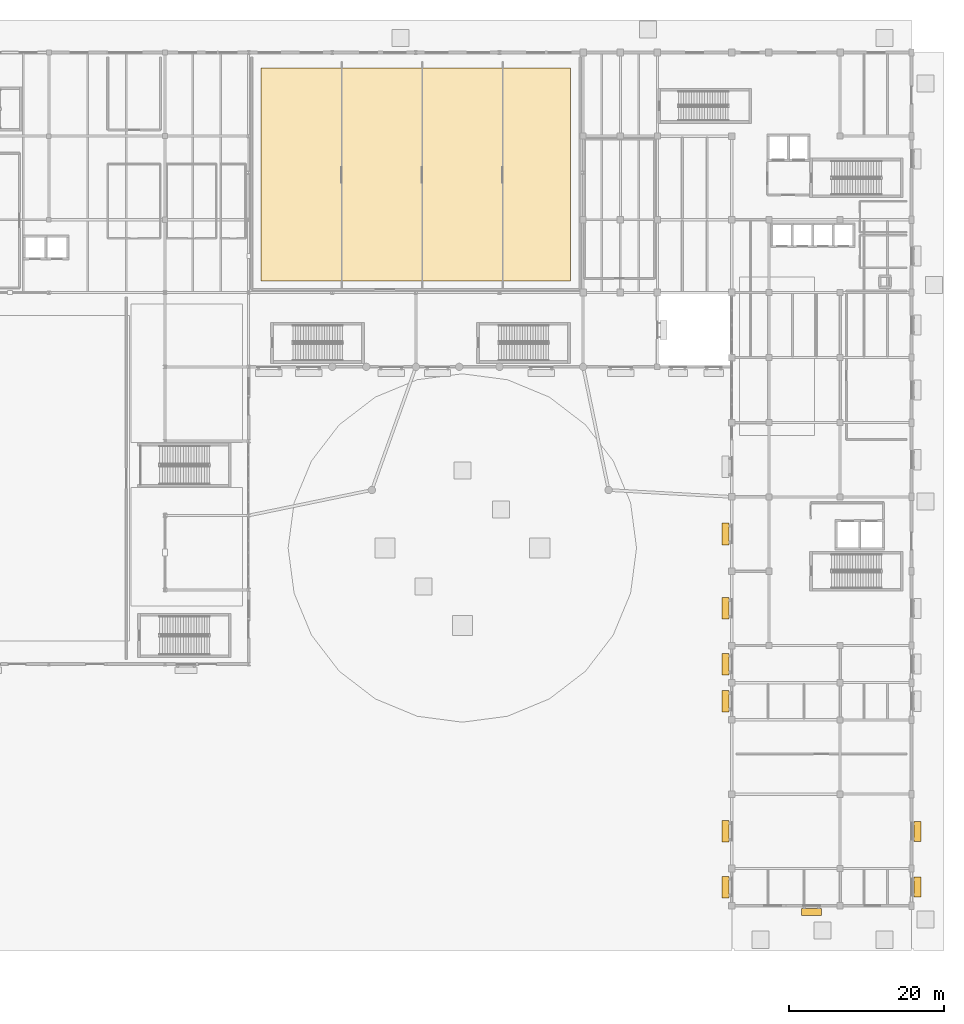
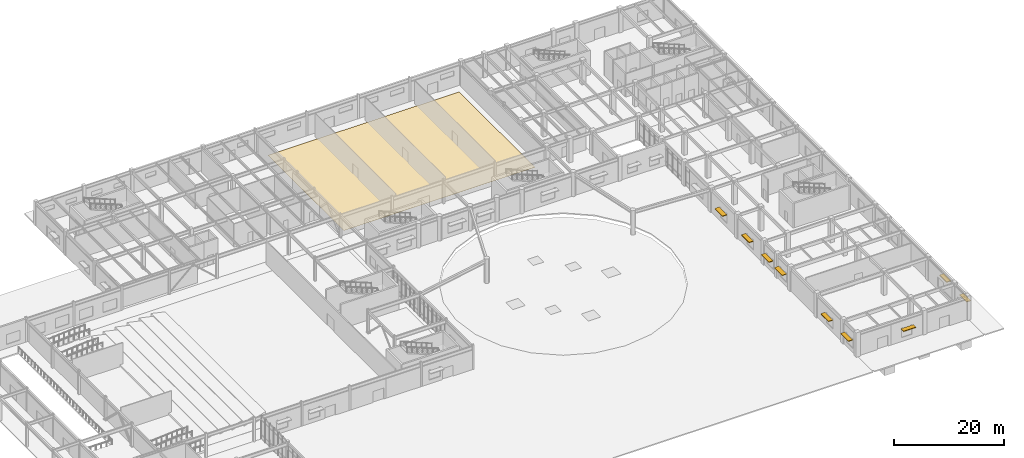
# One storey, part 51 of 54: 9 shading devices, 1 covering.
"""IFC4 building model written with IfcOpenShell, lengths in metres."""

from ifc_helpers import new_model, si_unit, direction, frame, origin, origin_2d, place, context, subcontext, project, spatial, polyline, rectangle, outline, extrude, material, layer, layer_set, type_object, element, save


model = new_model("IFC4")

# Units and contexts
model_context = context("Model", 3, precision=1e-05, world=origin(), true_north=direction((0.0, 1.0)))
body_context = subcontext(model_context, "Body", "Model", "MODEL_VIEW")
ifc_project = project(units=[si_unit("LENGTHUNIT", "METRE"), si_unit("AREAUNIT", "SQUARE_METRE"), si_unit("VOLUMEUNIT", "CUBIC_METRE"), si_unit("PLANEANGLEUNIT", "RADIAN"), si_unit("MASSUNIT", "GRAM", prefix="KILO")], contexts=[model_context])

# Site, building, storey
site_placement = place(None, origin())
site = spatial("IfcSite", under=ifc_project, at=site_placement, CompositionType="ELEMENT")
building_placement = place(site_placement, origin())
building = spatial("IfcBuilding", under=site, at=building_placement, Name="Veldera Park Congress Hotel", CompositionType="ELEMENT")
storey_placement = place(building_placement, origin())
storey = spatial("IfcBuildingStorey", under=building, at=storey_placement, Name="L00", CompositionType="ELEMENT", Elevation=0.0)

# Covering
ifc_material_1 = material(Name="Engineered White Oak Plank Flooring", Category="wood")
ifc_layer = layer(ifc_material_1, 0.02197265625)
ifc_layer_set = layer_set([ifc_layer], Name="Engineered White Oak Plank Flooring")
covering_type = type_object("IfcCoveringType", Name="COV-FLR-OAK", PredefinedType="FLOORING", material=ifc_layer_set)
covering_placement = place(storey_placement, origin())
element("IfcCovering", 1, at=covering_placement, inside=storey, type_object=covering_type, Name="Grand Ballroom White Oak Parquet Flooring", PredefinedType="FLOORING", context=body_context, shape_type="SweptSolid", body=[
    extrude(outline(polyline([(0.0, 28.5), (40.0, 28.5), (40.0, 56.0), (0.0, 56.0), (0.0, 28.5)])), origin(), (0.0, 0.0, 1.0), 0.02197265625),
])

# Shading devices
ifc_material_2 = material(Name="Glulam GL28h (NDS 24F-V4)", Category="wood")
shading_device_type = type_object("IfcShadingDeviceType", Name="SHD-SHF450", PredefinedType="AWNING", material=ifc_material_2)
for number, where, z_axis, x_axis, name in (
    (2, (71.106201171875, -52.989990234375, 2.85986328125), (0.0, 0.0, 1.0), (1.0, 0.0, 0.0), "Glulam Solar Shade 81"),
    (3, (84.7900390625, -49.800048828125, 2.85986328125), (0.0, 0.0, 1.0), (0.0, 1.0, 0.0), "Glulam Solar Shade 82"),
    (4, (84.7900390625, -42.60009765625, 2.85986328125), (0.0, 0.0, 1.0), (0.0, 1.0, 0.0), "Glulam Solar Shade 83"),
):
    element("IfcShadingDevice", number, at=place(storey_placement, frame(where, z_axis=z_axis, x_axis=x_axis)), inside=storey, type_object=shading_device_type, Name=name, PredefinedType="AWNING", context=body_context, shape_type="SweptSolid", body=[
        extrude(rectangle(XDim=2.60009765625, YDim=0.89990234375, at=origin_2d()), origin(), (0.0, 0.0, 1.0), 0.139892578125),
    ])
for number, where, z_axis, x_axis, name in (
    (5, (60.010009765625, -4.199951171875, 2.91015625), (0.0, 0.0, 1.0), (0.0, -1.0, 0.0), "Glulam Solar Shade 95"),
    (6, (60.010009765625, -13.800048828125, 2.91015625), (0.0, 0.0, 1.0), (0.0, -1.0, 0.0), "Glulam Solar Shade 96"),
    (7, (60.010009765625, -21.0, 2.91015625), (0.0, 0.0, 1.0), (0.0, -1.0, 0.0), "Glulam Solar Shade 97"),
    (8, (60.010009765625, -25.800048828125, 2.91015625), (0.0, 0.0, 1.0), (0.0, -1.0, 0.0), "Glulam Solar Shade 98"),
    (9, (60.010009765625, -42.60009765625, 2.91015625), (0.0, 0.0, 1.0), (0.0, -1.0, 0.0), "Glulam Solar Shade 99"),
    (10, (60.010009765625, -49.800048828125, 2.91015625), (0.0, 0.0, 1.0), (0.0, -1.0, 0.0), "Glulam Solar Shade 100"),
):
    element("IfcShadingDevice", number, at=place(storey_placement, frame(where, z_axis=z_axis, x_axis=x_axis)), inside=storey, type_object=shading_device_type, Name=name, PredefinedType="AWNING", context=body_context, shape_type="SweptSolid", body=[
        extrude(rectangle(XDim=2.800048828125, YDim=0.89990234375, at=origin_2d()), origin(), (0.0, 0.0, 1.0), 0.139892578125),
    ])

save(model, "model.ifc")
